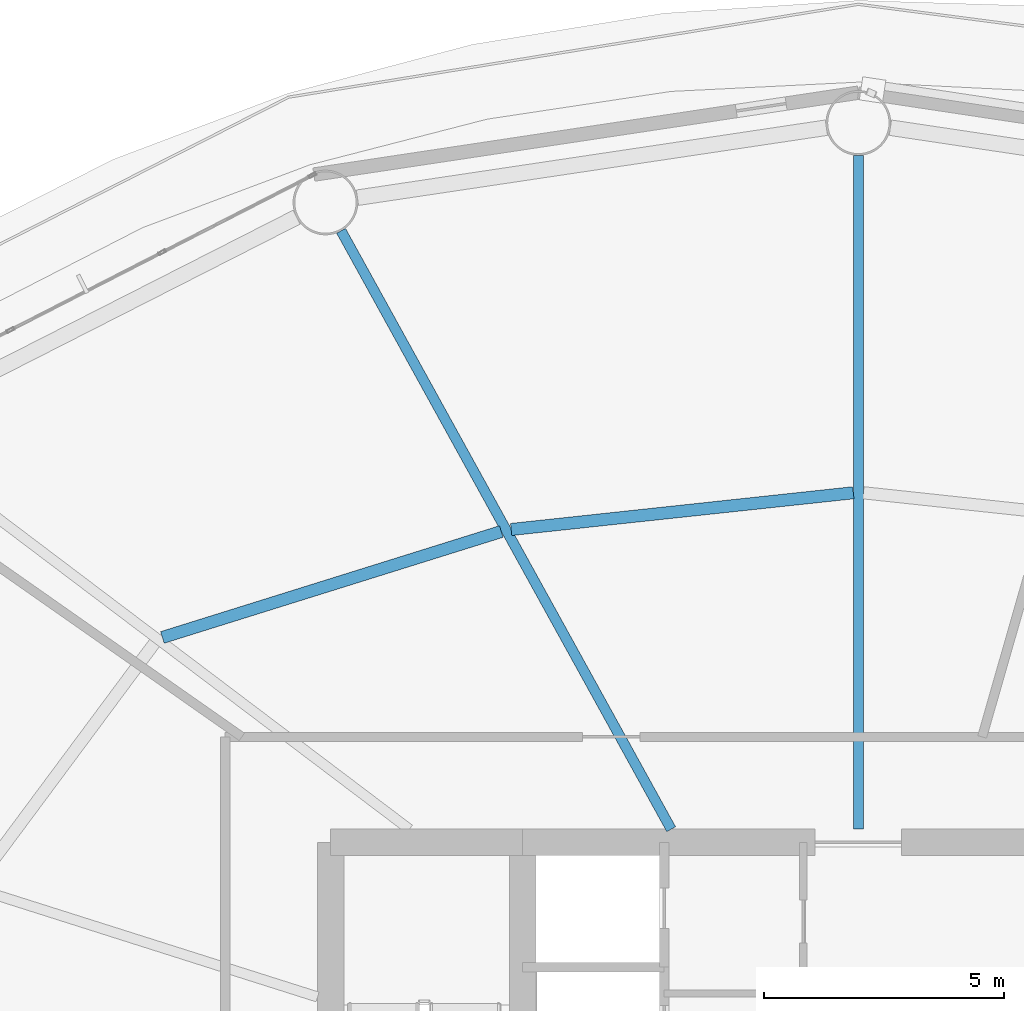
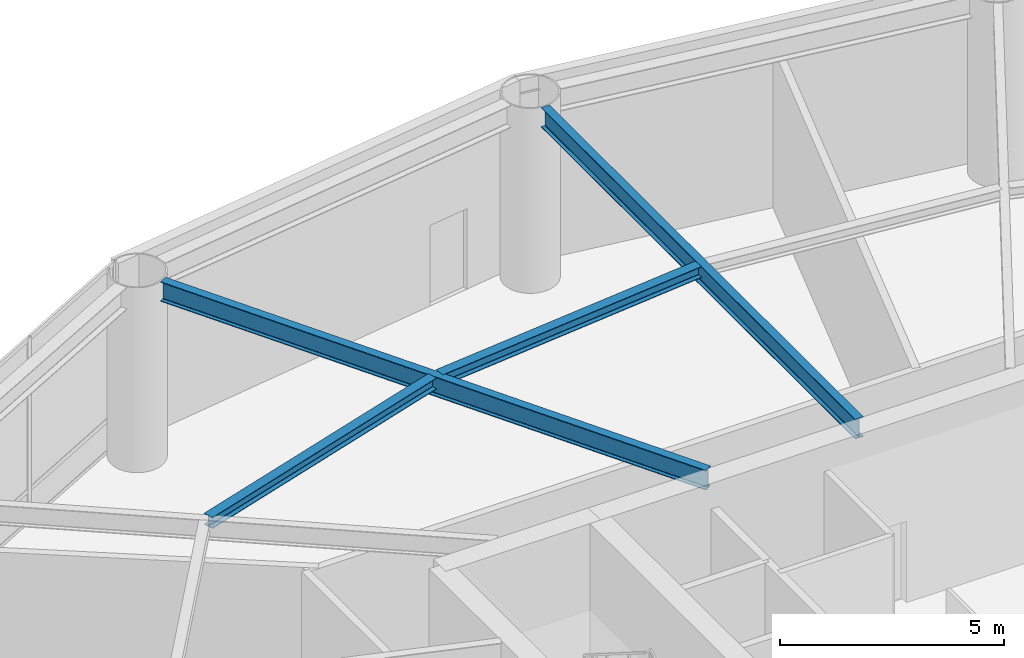
# One storey, part 12 of 25: 4 beams.
"""IFC4 building model written with IfcOpenShell, lengths in metres."""

from ifc_helpers import new_model, si_unit, direction, frame, origin, origin_2d, place, context, subcontext, project, spatial, i_section, extrude, material, material_profile, profile_set, type_object, element, save


model = new_model("IFC4")

# Units and contexts
model_context = context("Model", 3, precision=1e-05, world=origin(), true_north=direction((0.0, 1.0)))
body_context = subcontext(model_context, "Body", "Model", "MODEL_VIEW")
ifc_project = project(units=[si_unit("LENGTHUNIT", "METRE"), si_unit("AREAUNIT", "SQUARE_METRE"), si_unit("VOLUMEUNIT", "CUBIC_METRE"), si_unit("PLANEANGLEUNIT", "RADIAN"), si_unit("MASSUNIT", "GRAM", prefix="KILO")], contexts=[model_context])

# Site, building, storey
site_placement = place(None, origin())
site = spatial("IfcSite", under=ifc_project, at=site_placement, CompositionType="ELEMENT")
building_placement = place(site_placement, origin())
building = spatial("IfcBuilding", under=site, at=building_placement, Name="Sarneth Arch Tower", CompositionType="ELEMENT")
storey_placement = place(building_placement, frame((0.0, 0.0, 134.39990234375)))
storey = spatial("IfcBuildingStorey", under=building, at=storey_placement, Name="L34", CompositionType="ELEMENT", Elevation=134.39990234375)

# Beams
ifc_material_1 = material(Name="Steel S355", Category="steel")
ifc_material_profile_1 = material_profile(ifc_material_1, i_section(OverallWidth=0.25390625, OverallDepth=0.305908203125, WebThickness=0.0087890625, FlangeThickness=0.0146484375, FilletRadius=0.014892578125, at=origin_2d()), Name="W310x79")
ifc_profile_set_1 = profile_set([ifc_material_profile_1], Name="Steel S355")
beam_type_1 = type_object("IfcBeamType", Name="BM-JOIST-310A", PredefinedType="JOIST", material=ifc_profile_set_1)
beam_1_placement = place(storey_placement, frame((47.89501953125, 56.0888671875, 4.897216796875), z_axis=(-0.99429330851, -0.106680910441, 0.0), x_axis=(0.106680910441, -0.99429330851, 0.0)))
element("IfcBeam", 1, at=beam_1_placement, inside=storey, type_object=beam_type_1, Name="L34 Secondary floor joist 05", PredefinedType="JOIST", context=body_context, shape_type="SweptSolid", body=[
    extrude(i_section(OverallWidth=0.25390625, OverallDepth=0.305908203125, WebThickness=0.0087890625, FlangeThickness=0.0146484375, FilletRadius=0.014892578125, at=origin_2d()), origin(), (0.0, 0.0, 1.0), 7.174560546875),
])
beam_2_placement = place(storey_placement, frame((40.5556640625, 55.28076171875, 4.897216796875), z_axis=(-0.9544870201, -0.298252457594, 0.0), x_axis=(0.298252457594, -0.9544870201, 0.0)))
element("IfcBeam", 2, at=beam_2_placement, inside=storey, type_object=beam_type_1, Name="L34 Secondary floor joist 06", PredefinedType="JOIST", context=body_context, shape_type="SweptSolid", body=[
    extrude(i_section(OverallWidth=0.25390625, OverallDepth=0.305908203125, WebThickness=0.0087890625, FlangeThickness=0.0146484375, FilletRadius=0.014892578125, at=origin_2d()), origin(), (0.0, 0.0, 1.0), 7.40234375),
])
ifc_material_2 = material(Name="Steel S355", Category="steel")
ifc_material_profile_2 = material_profile(ifc_material_2, i_section(OverallWidth=0.2109375, OverallDepth=0.5390625, WebThickness=0.01171875, FlangeThickness=0.018798828125, FilletRadius=0.01806640625, at=origin_2d()), Name="W530x109")
ifc_profile_set_2 = profile_set([ifc_material_profile_2], Name="Steel S355")
beam_type_2 = type_object("IfcBeamType", Name="BM-RAD-530B", PredefinedType="BEAM", material=ifc_profile_set_2)
beam_3_placement = place(storey_placement, frame((48.0, 49.074951171875, 4.780517578125), z_axis=(0.0, 1.0, 0.0), x_axis=(-1.0, 0.0, 0.0)))
element("IfcBeam", 3, at=beam_3_placement, inside=storey, type_object=beam_type_2, Name="L34 Radial floor girder 05", PredefinedType="BEAM", context=body_context, shape_type="SweptSolid", body=[
    extrude(i_section(OverallWidth=0.2109375, OverallDepth=0.5390625, WebThickness=0.01171875, FlangeThickness=0.018798828125, FilletRadius=0.01806640625, at=origin_2d()), origin(), (0.0, 0.0, 1.0), 14.050048828125),
])
beam_4_placement = place(storey_placement, frame((44.09716796875, 49.074951171875, 4.780517578125), z_axis=(-0.48301301286, 0.875613173387, 0.0), x_axis=(-0.875613173387, -0.48301301286, 0.0)))
element("IfcBeam", 4, at=beam_4_placement, inside=storey, type_object=beam_type_2, Name="L34 Radial floor girder 06", PredefinedType="BEAM", context=body_context, shape_type="SweptSolid", body=[
    extrude(i_section(OverallWidth=0.2109375, OverallDepth=0.5390625, WebThickness=0.01171875, FlangeThickness=0.018798828125, FilletRadius=0.01806640625, at=origin_2d()), origin(), (0.0, 0.0, 1.0), 14.246826171875),
])

save(model, "model.ifc")
